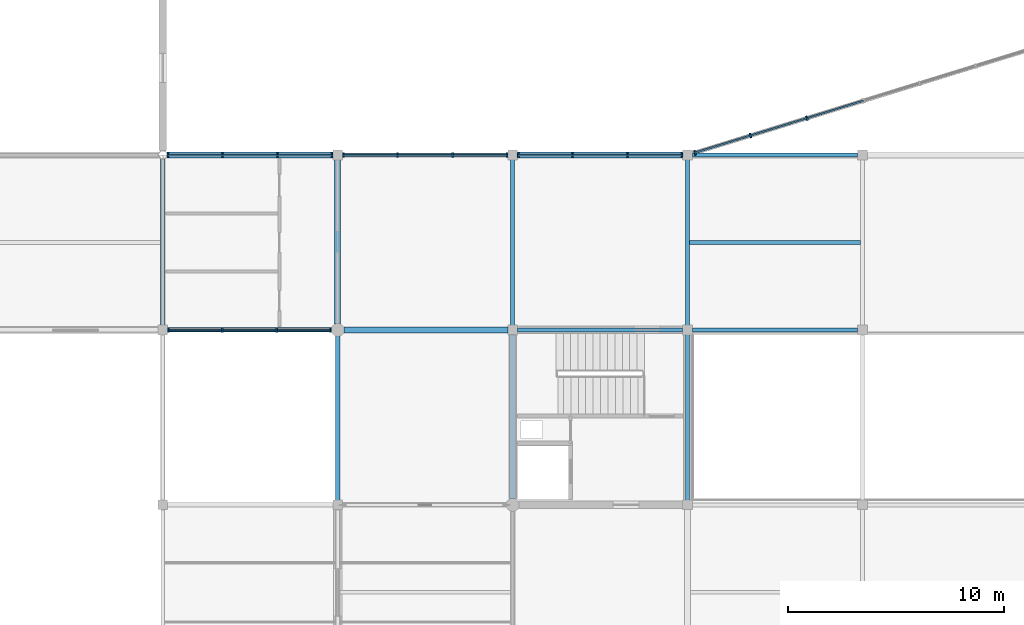
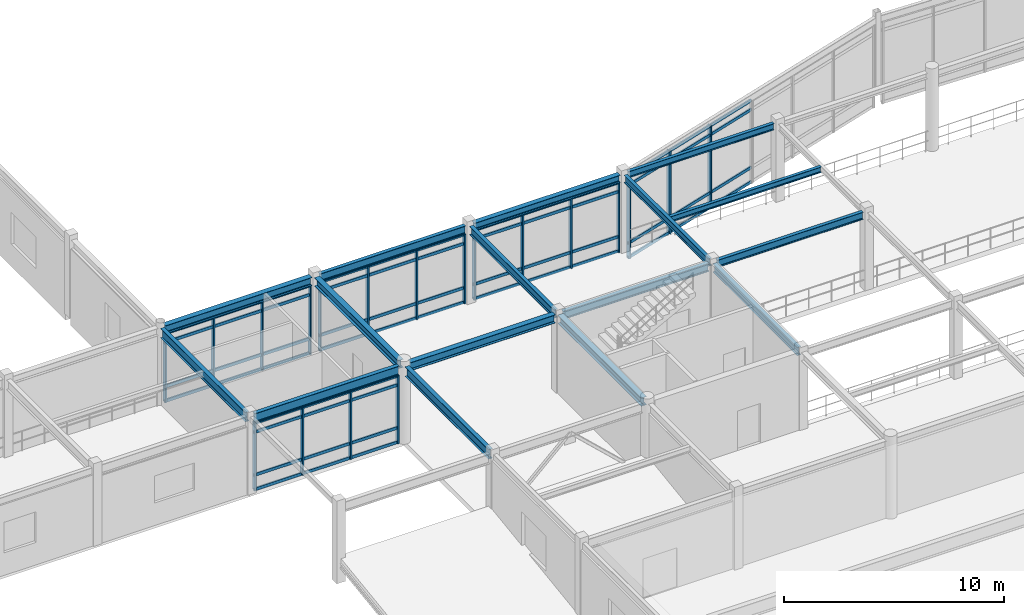
# One storey, part 20 of 93: 39 members, 16 beams, 5 elements without a shape of their own.
"""IFC4 building model written with IfcOpenShell, lengths in metres."""

from ifc_helpers import new_model, si_unit, direction, frame, origin, origin_2d, place, context, subcontext, project, spatial, rectangle, i_section, extrude, material, layer, layer_set, material_profile, profile_set, type_object, element, aggregate, save


model = new_model("IFC4")

# Units and contexts
model_context = context("Model", 3, precision=1e-05, world=origin(), true_north=direction((0.0, 1.0)))
body_context = subcontext(model_context, "Body", "Model", "MODEL_VIEW")
ifc_project = project(units=[si_unit("LENGTHUNIT", "METRE"), si_unit("AREAUNIT", "SQUARE_METRE"), si_unit("VOLUMEUNIT", "CUBIC_METRE"), si_unit("PLANEANGLEUNIT", "RADIAN"), si_unit("MASSUNIT", "GRAM", prefix="KILO")], contexts=[model_context])

# Site, building, storey
site_placement = place(None, origin())
site = spatial("IfcSite", under=ifc_project, at=site_placement, CompositionType="ELEMENT")
building_placement = place(site_placement, origin())
building = spatial("IfcBuilding", under=site, at=building_placement, Name="Vaudrelin Polytechnic", CompositionType="ELEMENT")
storey_placement = place(building_placement, frame((0.0, 0.0, 5.10009765625)))
storey = spatial("IfcBuildingStorey", under=building, at=storey_placement, Name="L01", CompositionType="ELEMENT", Elevation=5.10009765625)

# Beams
ifc_material_1 = material(Name="Steel CSA G40.21 350W", Category="steel")
ifc_material_profile_1 = material_profile(ifc_material_1, i_section(OverallWidth=0.178955078125, OverallDepth=0.409912109375, WebThickness=0.0087890625, FlangeThickness=0.014404296875, FilletRadius=0.01611328125, at=origin_2d()), Name="W410x67")
ifc_profile_set_1 = profile_set([ifc_material_profile_1], Name="Steel CSA G40.21 350W")
beam_type_1 = type_object("IfcBeamType", Name="BM-BM-W410", PredefinedType="BEAM", material=ifc_profile_set_1)
beam_1_placement = place(storey_placement, frame((56.699951171875, 40.7099609375, 4.10498046875), z_axis=(0.0, 1.0, 0.0), x_axis=(-1.0, 0.0, 0.0)))
element("IfcBeam", 1, at=beam_1_placement, inside=storey, type_object=beam_type_1, Name="L01 Y-beam 8-6", PredefinedType="BEAM", context=body_context, shape_type="SweptSolid", body=[
    extrude(i_section(OverallWidth=0.178955078125, OverallDepth=0.409912109375, WebThickness=0.0087890625, FlangeThickness=0.014404296875, FilletRadius=0.01611328125, at=origin_2d()), origin(), (0.0, 0.0, 1.0), 7.679931640625),
])
beam_2_placement = place(storey_placement, frame((56.9208984375, 40.5, 4.10498046875), z_axis=(1.0, 0.0, 0.0), x_axis=(0.0, 1.0, 0.0)))
element("IfcBeam", 2, at=beam_2_placement, inside=storey, type_object=beam_type_1, Name="L01 X-beam 8-6", PredefinedType="BEAM", context=body_context, shape_type="SweptSolid", body=[
    extrude(i_section(OverallWidth=0.178955078125, OverallDepth=0.409912109375, WebThickness=0.0087890625, FlangeThickness=0.014404296875, FilletRadius=0.01611328125, at=origin_2d()), origin(), (0.0, 0.0, 1.0), 7.658203125),
])
ifc_material_2 = material(Name="Steel CSA G40.21 350WT", Category="steel")
ifc_material_profile_2 = material_profile(ifc_material_2, i_section(OverallWidth=0.260009765625, OverallDepth=0.4150390625, WebThickness=0.010009765625, FlangeThickness=0.016845703125, FilletRadius=0.01611328125, at=origin_2d()), Name="W410x100")
ifc_profile_set_2 = profile_set([ifc_material_profile_2], Name="Steel CSA G40.21 350WT")
beam_type_2 = type_object("IfcBeamType", Name="BM-BM-W410H", PredefinedType="SPANDREL", material=ifc_profile_set_2)
beam_3_placement = place(storey_placement, frame((48.821044921875, 48.60009765625, 4.102294921875), z_axis=(1.0, 0.0, 0.0), x_axis=(0.0, 1.0, 0.0)))
element("IfcBeam", 3, at=beam_3_placement, inside=storey, type_object=beam_type_2, Name="L01 X-beam 7-7", PredefinedType="SPANDREL", context=body_context, shape_type="SweptSolid", body=[
    extrude(i_section(OverallWidth=0.260009765625, OverallDepth=0.4150390625, WebThickness=0.010009765625, FlangeThickness=0.016845703125, FilletRadius=0.01611328125, at=origin_2d()), origin(), (0.0, 0.0, 1.0), 7.657958984375),
])
ifc_material_profile_3 = material_profile(ifc_material_2, i_section(OverallWidth=0.19091796875, OverallDepth=0.4599609375, WebThickness=0.010009765625, FlangeThickness=0.01611328125, FilletRadius=0.01806640625, at=origin_2d()), Name="W460x82")
ifc_profile_set_3 = profile_set([ifc_material_profile_3], Name="Steel CSA G40.21 350WT")
beam_type_3 = type_object("IfcBeamType", Name="BM-BM-W460", PredefinedType="BEAM", material=ifc_profile_set_3)
for number, where, z_axis, x_axis, name in (
    (4, (48.60009765625, 40.7099609375, 4.079833984375), (0.0, 1.0, 0.0), (-1.0, 0.0, 0.0), "L01 Y-beam 7-6"),
    (5, (56.699951171875, 32.610107421875, 4.079833984375), (0.0, 1.0, 0.0), (-1.0, 0.0, 0.0), "L01 Y-beam 8-5"),
):
    element("IfcBeam", number, at=place(storey_placement, frame(where, z_axis=z_axis, x_axis=x_axis)), inside=storey, type_object=beam_type_3, Name=name, PredefinedType="BEAM", context=body_context, shape_type="SweptSolid", body=[
        extrude(i_section(OverallWidth=0.19091796875, OverallDepth=0.4599609375, WebThickness=0.010009765625, FlangeThickness=0.01611328125, FilletRadius=0.01806640625, at=origin_2d()), origin(), (0.0, 0.0, 1.0), 7.679931640625),
    ])
for number, where, z_axis, x_axis, name in (
    (6, (40.720947265625, 48.60009765625, 4.079833984375), (1.0, 0.0, 0.0), (0.0, 1.0, 0.0), "L01 X-beam 6-7"),
    (7, (48.821044921875, 40.5, 4.079833984375), (1.0, 0.0, 0.0), (0.0, 1.0, 0.0), "L01 X-beam 7-6"),
):
    element("IfcBeam", number, at=place(storey_placement, frame(where, z_axis=z_axis, x_axis=x_axis)), inside=storey, type_object=beam_type_3, Name=name, PredefinedType="BEAM", context=body_context, shape_type="SweptSolid", body=[
        extrude(i_section(OverallWidth=0.19091796875, OverallDepth=0.4599609375, WebThickness=0.010009765625, FlangeThickness=0.01611328125, FilletRadius=0.01806640625, at=origin_2d()), origin(), (0.0, 0.0, 1.0), 7.657958984375),
    ])
ifc_material_profile_4 = material_profile(ifc_material_1, i_section(OverallWidth=0.280029296875, OverallDepth=0.462890625, WebThickness=0.0107421875, FlangeThickness=0.017333984375, FilletRadius=0.01806640625, at=origin_2d()), Name="W460x113")
ifc_profile_set_4 = profile_set([ifc_material_profile_4], Name="Steel CSA G40.21 350W")
beam_type_4 = type_object("IfcBeamType", Name="BM-BM-W460H", PredefinedType="BEAM", material=ifc_profile_set_4)
for number, where, z_axis, x_axis, name in (
    (8, (40.5, 40.784912109375, 4.078369140625), (0.0, 1.0, 0.0), (-1.0, 0.0, 0.0), "L01 Y-beam 6-6"),
    (9, (48.60009765625, 32.68505859375, 4.078369140625), (0.0, 1.0, 0.0), (-1.0, 0.0, 0.0), "L01 Y-beam 7-5"),
):
    element("IfcBeam", number, at=place(storey_placement, frame(where, z_axis=z_axis, x_axis=x_axis)), inside=storey, type_object=beam_type_4, Name=name, PredefinedType="BEAM", context=body_context, shape_type="SweptSolid", body=[
        extrude(i_section(OverallWidth=0.280029296875, OverallDepth=0.462890625, WebThickness=0.0107421875, FlangeThickness=0.017333984375, FilletRadius=0.01806640625, at=origin_2d()), origin(), (0.0, 0.0, 1.0), 7.60498046875),
    ])
beam_4_placement = place(storey_placement, frame((32.59912109375, 48.60009765625, 4.078369140625), z_axis=(1.0, 0.0, 0.0), x_axis=(0.0, 1.0, 0.0)))
element("IfcBeam", 10, at=beam_4_placement, inside=storey, type_object=beam_type_4, Name="L01 X-beam 5-7", PredefinedType="BEAM", context=body_context, shape_type="SweptSolid", body=[
    extrude(i_section(OverallWidth=0.280029296875, OverallDepth=0.462890625, WebThickness=0.0107421875, FlangeThickness=0.017333984375, FilletRadius=0.01806640625, at=origin_2d()), origin(), (0.0, 0.0, 1.0), 7.679931640625),
])
beam_5_placement = place(storey_placement, frame((40.7958984375, 40.5, 4.078369140625), z_axis=(1.0, 0.0, 0.0), x_axis=(0.0, 1.0, 0.0)))
element("IfcBeam", 11, at=beam_5_placement, inside=storey, type_object=beam_type_4, Name="L01 X-beam 6-6", PredefinedType="BEAM", context=body_context, shape_type="SweptSolid", body=[
    extrude(i_section(OverallWidth=0.280029296875, OverallDepth=0.462890625, WebThickness=0.0107421875, FlangeThickness=0.017333984375, FilletRadius=0.01806640625, at=origin_2d()), origin(), (0.0, 0.0, 1.0), 7.5830078125),
])
ifc_material_profile_5 = material_profile(ifc_material_1, i_section(OverallWidth=0.208984375, OverallDepth=0.532958984375, WebThickness=0.01025390625, FlangeThickness=0.015625, FilletRadius=0.01904296875, at=origin_2d()), Name="W530x92")
ifc_profile_set_5 = profile_set([ifc_material_profile_5], Name="Steel CSA G40.21 350W")
beam_type_5 = type_object("IfcBeamType", Name="BM-BM-W530", PredefinedType="BEAM", material=ifc_profile_set_5)
beam_6_placement = place(storey_placement, frame((32.39990234375, 40.7099609375, 4.033447265625), z_axis=(0.0, 1.0, 0.0), x_axis=(-1.0, 0.0, 0.0)))
element("IfcBeam", 12, at=beam_6_placement, inside=storey, type_object=beam_type_5, Name="L01 Y-beam 5-6", PredefinedType="BEAM", context=body_context, shape_type="SweptSolid", body=[
    extrude(i_section(OverallWidth=0.208984375, OverallDepth=0.532958984375, WebThickness=0.01025390625, FlangeThickness=0.015625, FilletRadius=0.01904296875, at=origin_2d()), origin(), (0.0, 0.0, 1.0), 7.701904296875),
])
beam_7_placement = place(storey_placement, frame((40.5, 32.610107421875, 4.04345703125), z_axis=(0.0, 1.0, 0.0), x_axis=(-1.0, 0.0, 0.0)))
element("IfcBeam", 13, at=beam_7_placement, inside=storey, type_object=beam_type_5, Name="L01 Y-beam 6-5", PredefinedType="BEAM", context=body_context, shape_type="SweptSolid", body=[
    extrude(i_section(OverallWidth=0.208984375, OverallDepth=0.532958984375, WebThickness=0.01025390625, FlangeThickness=0.015625, FilletRadius=0.01904296875, at=origin_2d()), origin(), (0.0, 0.0, 1.0), 7.60498046875),
])
beam_8_placement = place(storey_placement, frame((32.62109375, 40.5, 4.04345703125), z_axis=(1.0, 0.0, 0.0), x_axis=(0.0, 1.0, 0.0)))
element("IfcBeam", 14, at=beam_8_placement, inside=storey, type_object=beam_type_5, Name="L01 X-beam 5-6", PredefinedType="BEAM", context=body_context, shape_type="SweptSolid", body=[
    extrude(i_section(OverallWidth=0.208984375, OverallDepth=0.532958984375, WebThickness=0.01025390625, FlangeThickness=0.015625, FilletRadius=0.01904296875, at=origin_2d()), origin(), (0.0, 0.0, 1.0), 7.5830078125),
])
ifc_material_profile_6 = material_profile(ifc_material_1, i_section(OverallWidth=0.1669921875, OverallDepth=0.31689453125, WebThickness=0.007568359375, FlangeThickness=0.01318359375, FilletRadius=0.013916015625, at=origin_2d()), Name="W310x52")
ifc_profile_set_6 = profile_set([ifc_material_profile_6], Name="Steel CSA G40.21 350W")
beam_type_6 = type_object("IfcBeamType", Name="BM-JS-W310", PredefinedType="JOIST", material=ifc_profile_set_6)
beam_9_placement = place(storey_placement, frame((56.785400390625, 44.550048828125, 4.1513671875), z_axis=(1.0, 0.0, 0.0), x_axis=(0.0, 1.0, 0.0)))
element("IfcBeam", 15, at=beam_9_placement, inside=storey, type_object=beam_type_6, Name="L01 floor joist 8-6", PredefinedType="JOIST", context=body_context, shape_type="SweptSolid", body=[
    extrude(i_section(OverallWidth=0.1669921875, OverallDepth=0.31689453125, WebThickness=0.007568359375, FlangeThickness=0.01318359375, FilletRadius=0.013916015625, at=origin_2d()), origin(), (0.0, 0.0, 1.0), 7.9326171875),
])
ifc_material_profile_7 = material_profile(ifc_material_1, i_section(OverallWidth=0.172119140625, OverallDepth=0.35791015625, WebThickness=0.0078125, FlangeThickness=0.01318359375, FilletRadius=0.014892578125, at=origin_2d()), Name="W360x57")
ifc_profile_set_7 = profile_set([ifc_material_profile_7], Name="Steel CSA G40.21 350W")
beam_type_7 = type_object("IfcBeamType", Name="BM-JS-W360", PredefinedType="JOIST", material=ifc_profile_set_7)
beam_10_placement = place(storey_placement, frame((56.9208984375, 48.60009765625, 4.130859375), z_axis=(1.0, 0.0, 0.0), x_axis=(0.0, 1.0, 0.0)))
element("IfcBeam", 16, at=beam_10_placement, inside=storey, type_object=beam_type_7, Name="L01 X-beam 8-7", PredefinedType="JOIST", context=body_context, shape_type="SweptSolid", body=[
    extrude(i_section(OverallWidth=0.172119140625, OverallDepth=0.35791015625, WebThickness=0.0078125, FlangeThickness=0.01318359375, FilletRadius=0.014892578125, at=origin_2d()), origin(), (0.0, 0.0, 1.0), 7.658203125),
])

# Curtain wall, members
ifc_material_3 = material(Name="Thermally broken anodised aluminium AA 6063-T6 and low-e triple glazing", Category="aluminium")
ifc_layer = layer(ifc_material_3, 0.199951171875)
ifc_layer_set = layer_set([ifc_layer], Name="Thermally broken anodised aluminium AA 6063-T6 and low-e triple glazing")
curtain_wall_type = type_object("IfcCurtainWallType", Name="CW-CW-WG", PredefinedType="USERDEFINED", material=ifc_layer_set)
curtain_wall_1_placement = place(storey_placement, origin())
curtain_wall_1 = element("IfcCurtainWall", 17, at=curtain_wall_1_placement, inside=storey, type_object=curtain_wall_type, Name="Curtain wall L01 S_V6W_00", ObjectType="CURTAIN WALL", PredefinedType="USERDEFINED")
ifc_material_4 = material(Name="Anodised aluminium AA 6063-T6", Category="aluminium")
ifc_material_profile_8 = material_profile(ifc_material_4, rectangle(XDim=0.074951171875, YDim=0.219970703125, at=origin_2d()), Name="CWM-75x220")
ifc_profile_set_8 = profile_set([ifc_material_profile_8], Name="Anodised aluminium AA 6063-T6")
member_type_1 = type_object("IfcMemberType", Name="MEM-CWM-220", PredefinedType="MULLION", material=ifc_profile_set_8)
member_1_placement = place(storey_placement, frame((32.6630859375, 40.5, 0.0), z_axis=(0.0, 0.0, 1.0), x_axis=(1.0, 0.0, 0.0)))
member_1 = element("IfcMember", 18, at=member_1_placement, type_object=member_type_1, Name="S_V6W_00 mullion 1", PredefinedType="MULLION", context=body_context, shape_type="SweptSolid", body=[
    extrude(rectangle(XDim=0.074951171875, YDim=0.219970703125, at=origin_2d()), origin(), (0.0, 0.0, 1.0), 3.77880859375),
])
member_2_placement = place(storey_placement, frame((35.1494140625, 40.5, 0.0), z_axis=(0.0, 0.0, 1.0), x_axis=(1.0, 0.0, 0.0)))
member_2 = element("IfcMember", 19, at=member_2_placement, type_object=member_type_1, Name="S_V6W_00 mullion 2", PredefinedType="MULLION", context=body_context, shape_type="SweptSolid", body=[
    extrude(rectangle(XDim=0.074951171875, YDim=0.219970703125, at=origin_2d()), origin(), (0.0, 0.0, 1.0), 3.77880859375),
])
member_3_placement = place(storey_placement, frame((37.67578125, 40.5, 0.0), z_axis=(0.0, 0.0, 1.0), x_axis=(1.0, 0.0, 0.0)))
member_3 = element("IfcMember", 20, at=member_3_placement, type_object=member_type_1, Name="S_V6W_00 mullion 3", PredefinedType="MULLION", context=body_context, shape_type="SweptSolid", body=[
    extrude(rectangle(XDim=0.074951171875, YDim=0.219970703125, at=origin_2d()), origin(), (0.0, 0.0, 1.0), 3.77880859375),
])
member_4_placement = place(storey_placement, frame((40.162109375, 40.5, 0.0), z_axis=(0.0, 0.0, 1.0), x_axis=(1.0, 0.0, 0.0)))
member_4 = element("IfcMember", 21, at=member_4_placement, type_object=member_type_1, Name="S_V6W_00 mullion 4", PredefinedType="MULLION", context=body_context, shape_type="SweptSolid", body=[
    extrude(rectangle(XDim=0.074951171875, YDim=0.219970703125, at=origin_2d()), origin(), (0.0, 0.0, 1.0), 3.77880859375),
])

curtain_wall_2_placement = place(storey_placement, origin())
curtain_wall_2 = element("IfcCurtainWall", 22, at=curtain_wall_2_placement, inside=storey, type_object=curtain_wall_type, Name="Curtain wall L01 CT_S_00", ObjectType="CURTAIN WALL", PredefinedType="USERDEFINED")
member_5_placement = place(storey_placement, frame((32.64111328125, 48.60009765625, 0.0), z_axis=(0.0, 0.0, 1.0), x_axis=(1.0, 0.0, 0.0)))
member_5 = element("IfcMember", 23, at=member_5_placement, type_object=member_type_1, Name="CT_S_00 mullion 1", PredefinedType="MULLION", context=body_context, shape_type="SweptSolid", body=[
    extrude(rectangle(XDim=0.074951171875, YDim=0.219970703125, at=origin_2d()), origin(), (0.0, 0.0, 1.0), 3.848876953125),
])
member_6_placement = place(storey_placement, frame((35.159912109375, 48.60009765625, 0.0), z_axis=(0.0, 0.0, 1.0), x_axis=(1.0, 0.0, 0.0)))
member_6 = element("IfcMember", 24, at=member_6_placement, type_object=member_type_1, Name="CT_S_00 mullion 2", PredefinedType="MULLION", context=body_context, shape_type="SweptSolid", body=[
    extrude(rectangle(XDim=0.074951171875, YDim=0.219970703125, at=origin_2d()), origin(), (0.0, 0.0, 1.0), 3.848876953125),
])
member_7_placement = place(storey_placement, frame((37.718505859375, 48.60009765625, 0.0), z_axis=(0.0, 0.0, 1.0), x_axis=(1.0, 0.0, 0.0)))
member_7 = element("IfcMember", 25, at=member_7_placement, type_object=member_type_1, Name="CT_S_00 mullion 3", PredefinedType="MULLION", context=body_context, shape_type="SweptSolid", body=[
    extrude(rectangle(XDim=0.074951171875, YDim=0.219970703125, at=origin_2d()), origin(), (0.0, 0.0, 1.0), 3.848876953125),
])
member_8_placement = place(storey_placement, frame((40.237060546875, 48.60009765625, 0.0), z_axis=(0.0, 0.0, 1.0), x_axis=(1.0, 0.0, 0.0)))
member_8 = element("IfcMember", 26, at=member_8_placement, type_object=member_type_1, Name="CT_S_00 mullion 4", PredefinedType="MULLION", context=body_context, shape_type="SweptSolid", body=[
    extrude(rectangle(XDim=0.074951171875, YDim=0.219970703125, at=origin_2d()), origin(), (0.0, 0.0, 1.0), 3.848876953125),
])

curtain_wall_3_placement = place(storey_placement, origin())
curtain_wall_3 = element("IfcCurtainWall", 27, at=curtain_wall_3_placement, inside=storey, type_object=curtain_wall_type, Name="Curtain wall L01 CT_S_01", ObjectType="CURTAIN WALL", PredefinedType="USERDEFINED")
member_9_placement = place(storey_placement, frame((40.762939453125, 48.60009765625, 0.0), z_axis=(0.0, 0.0, 1.0), x_axis=(1.0, 0.0, 0.0)))
member_9 = element("IfcMember", 28, at=member_9_placement, type_object=member_type_1, Name="CT_S_01 mullion 1", PredefinedType="MULLION", context=body_context, shape_type="SweptSolid", body=[
    extrude(rectangle(XDim=0.074951171875, YDim=0.219970703125, at=origin_2d()), origin(), (0.0, 0.0, 1.0), 3.851806640625),
])
member_10_placement = place(storey_placement, frame((43.2744140625, 48.60009765625, 0.0), z_axis=(0.0, 0.0, 1.0), x_axis=(1.0, 0.0, 0.0)))
member_10 = element("IfcMember", 29, at=member_10_placement, type_object=member_type_1, Name="CT_S_01 mullion 2", PredefinedType="MULLION", context=body_context, shape_type="SweptSolid", body=[
    extrude(rectangle(XDim=0.074951171875, YDim=0.219970703125, at=origin_2d()), origin(), (0.0, 0.0, 1.0), 3.851806640625),
])
member_11_placement = place(storey_placement, frame((45.82568359375, 48.60009765625, 0.0), z_axis=(0.0, 0.0, 1.0), x_axis=(1.0, 0.0, 0.0)))
member_11 = element("IfcMember", 30, at=member_11_placement, type_object=member_type_1, Name="CT_S_01 mullion 3", PredefinedType="MULLION", context=body_context, shape_type="SweptSolid", body=[
    extrude(rectangle(XDim=0.074951171875, YDim=0.219970703125, at=origin_2d()), origin(), (0.0, 0.0, 1.0), 3.851806640625),
])
member_12_placement = place(storey_placement, frame((48.3369140625, 48.60009765625, 0.0), z_axis=(0.0, 0.0, 1.0), x_axis=(1.0, 0.0, 0.0)))
member_12 = element("IfcMember", 31, at=member_12_placement, type_object=member_type_1, Name="CT_S_01 mullion 4", PredefinedType="MULLION", context=body_context, shape_type="SweptSolid", body=[
    extrude(rectangle(XDim=0.074951171875, YDim=0.219970703125, at=origin_2d()), origin(), (0.0, 0.0, 1.0), 3.851806640625),
])

curtain_wall_4_placement = place(storey_placement, origin())
curtain_wall_4 = element("IfcCurtainWall", 32, at=curtain_wall_4_placement, inside=storey, type_object=curtain_wall_type, Name="Curtain wall L01 CT_S_02", ObjectType="CURTAIN WALL", PredefinedType="USERDEFINED")
member_13_placement = place(storey_placement, frame((48.863037109375, 48.60009765625, 0.0), z_axis=(0.0, 0.0, 1.0), x_axis=(1.0, 0.0, 0.0)))
member_13 = element("IfcMember", 33, at=member_13_placement, type_object=member_type_1, Name="CT_S_02 mullion 1", PredefinedType="MULLION", context=body_context, shape_type="SweptSolid", body=[
    extrude(rectangle(XDim=0.074951171875, YDim=0.219970703125, at=origin_2d()), origin(), (0.0, 0.0, 1.0), 3.89697265625),
])
member_14_placement = place(storey_placement, frame((51.374267578125, 48.60009765625, 0.0), z_axis=(0.0, 0.0, 1.0), x_axis=(1.0, 0.0, 0.0)))
member_14 = element("IfcMember", 34, at=member_14_placement, type_object=member_type_1, Name="CT_S_02 mullion 2", PredefinedType="MULLION", context=body_context, shape_type="SweptSolid", body=[
    extrude(rectangle(XDim=0.074951171875, YDim=0.219970703125, at=origin_2d()), origin(), (0.0, 0.0, 1.0), 3.89697265625),
])
member_15_placement = place(storey_placement, frame((53.92578125, 48.60009765625, 0.0), z_axis=(0.0, 0.0, 1.0), x_axis=(1.0, 0.0, 0.0)))
member_15 = element("IfcMember", 35, at=member_15_placement, type_object=member_type_1, Name="CT_S_02 mullion 3", PredefinedType="MULLION", context=body_context, shape_type="SweptSolid", body=[
    extrude(rectangle(XDim=0.074951171875, YDim=0.219970703125, at=origin_2d()), origin(), (0.0, 0.0, 1.0), 3.89697265625),
])
member_16_placement = place(storey_placement, frame((56.43701171875, 48.60009765625, 0.0), z_axis=(0.0, 0.0, 1.0), x_axis=(1.0, 0.0, 0.0)))
member_16 = element("IfcMember", 36, at=member_16_placement, type_object=member_type_1, Name="CT_S_02 mullion 4", PredefinedType="MULLION", context=body_context, shape_type="SweptSolid", body=[
    extrude(rectangle(XDim=0.074951171875, YDim=0.219970703125, at=origin_2d()), origin(), (0.0, 0.0, 1.0), 3.89697265625),
])

curtain_wall_5_placement = place(storey_placement, origin())
curtain_wall_5 = element("IfcCurtainWall", 37, at=curtain_wall_5_placement, inside=storey, type_object=curtain_wall_type, Name="Curtain wall L01 CT_OR1_1_0", ObjectType="CURTAIN WALL", PredefinedType="USERDEFINED")
member_17_placement = place(storey_placement, frame((57.04443359375, 48.706298828125, -0.630126953125), z_axis=(0.0, 0.0, 1.0), x_axis=(0.955523502988, 0.294914962723, 0.0)))
member_17 = element("IfcMember", 38, at=member_17_placement, type_object=member_type_1, Name="CT_OR1_1_0 mullion 1", PredefinedType="MULLION", context=body_context, shape_type="SweptSolid", body=[
    extrude(rectangle(XDim=0.074951171875, YDim=0.219970703125, at=origin_2d()), origin(), (0.0, 0.0, 1.0), 4.610107421875),
])
member_18_placement = place(storey_placement, frame((59.6162109375, 49.5, -0.630126953125), z_axis=(0.0, 0.0, 1.0), x_axis=(0.955523502988, 0.294914962723, 0.0)))
member_18 = element("IfcMember", 39, at=member_18_placement, type_object=member_type_1, Name="CT_OR1_1_0 mullion 2", PredefinedType="MULLION", context=body_context, shape_type="SweptSolid", body=[
    extrude(rectangle(XDim=0.074951171875, YDim=0.219970703125, at=origin_2d()), origin(), (0.0, 0.0, 1.0), 4.610107421875),
])
member_19_placement = place(storey_placement, frame((62.226318359375, 50.3056640625, -0.630126953125), z_axis=(0.0, 0.0, 1.0), x_axis=(0.955523502988, 0.294914962723, 0.0)))
member_19 = element("IfcMember", 40, at=member_19_placement, type_object=member_type_1, Name="CT_OR1_1_0 mullion 3", PredefinedType="MULLION", context=body_context, shape_type="SweptSolid", body=[
    extrude(rectangle(XDim=0.074951171875, YDim=0.219970703125, at=origin_2d()), origin(), (0.0, 0.0, 1.0), 4.610107421875),
])

# Member
ifc_material_profile_9 = material_profile(ifc_material_4, rectangle(XDim=0.074951171875, YDim=0.1650390625, at=origin_2d()), Name="CWT-75x165")
ifc_profile_set_9 = profile_set([ifc_material_profile_9], Name="Anodised aluminium AA 6063-T6")
member_type_2 = type_object("IfcMemberType", Name="MEM-CWT-165", PredefinedType="USERDEFINED", material=ifc_profile_set_9)
member_20_placement = place(storey_placement, frame((32.623046875, 40.5, 0.0498046875), z_axis=(1.0, 0.0, 0.0), x_axis=(0.0, 1.0, 0.0)))
member_20 = element("IfcMember", 41, at=member_20_placement, type_object=member_type_2, Name="S_V6W_00 transom 1", ObjectType="TRANSOM", PredefinedType="USERDEFINED", context=body_context, shape_type="SweptSolid", body=[
    extrude(rectangle(XDim=0.074951171875, YDim=0.1650390625, at=origin_2d()), origin(), (0.0, 0.0, 1.0), 7.578857421875),
])

member_21_placement = place(storey_placement, frame((32.623046875, 40.5, 0.849853515625), z_axis=(1.0, 0.0, 0.0), x_axis=(0.0, 1.0, 0.0)))
member_21 = element("IfcMember", 42, at=member_21_placement, type_object=member_type_2, Name="S_V6W_00 transom 2", ObjectType="TRANSOM", PredefinedType="USERDEFINED", context=body_context, shape_type="SweptSolid", body=[
    extrude(rectangle(XDim=0.074951171875, YDim=0.1650390625, at=origin_2d()), origin(), (0.0, 0.0, 1.0), 7.578857421875),
])

member_22_placement = place(storey_placement, frame((32.623046875, 40.5, 3.22900390625), z_axis=(1.0, 0.0, 0.0), x_axis=(0.0, 1.0, 0.0)))
member_22 = element("IfcMember", 43, at=member_22_placement, type_object=member_type_2, Name="S_V6W_00 transom 3", ObjectType="TRANSOM", PredefinedType="USERDEFINED", context=body_context, shape_type="SweptSolid", body=[
    extrude(rectangle(XDim=0.074951171875, YDim=0.1650390625, at=origin_2d()), origin(), (0.0, 0.0, 1.0), 7.578857421875),
])

member_23_placement = place(storey_placement, frame((32.623046875, 40.5, 3.72900390625), z_axis=(1.0, 0.0, 0.0), x_axis=(0.0, 1.0, 0.0)))
member_23 = element("IfcMember", 44, at=member_23_placement, type_object=member_type_2, Name="S_V6W_00 transom 4", ObjectType="TRANSOM", PredefinedType="USERDEFINED", context=body_context, shape_type="SweptSolid", body=[
    extrude(rectangle(XDim=0.074951171875, YDim=0.1650390625, at=origin_2d()), origin(), (0.0, 0.0, 1.0), 7.578857421875),
])

aggregate(curtain_wall_1, [member_1, member_2, member_3, member_4, member_20, member_21, member_22, member_23])

member_24_placement = place(storey_placement, frame((32.601318359375, 48.60009765625, 0.0498046875), z_axis=(1.0, 0.0, 0.0), x_axis=(0.0, 1.0, 0.0)))
member_24 = element("IfcMember", 45, at=member_24_placement, type_object=member_type_2, Name="CT_S_00 transom 1", ObjectType="TRANSOM", PredefinedType="USERDEFINED", context=body_context, shape_type="SweptSolid", body=[
    extrude(rectangle(XDim=0.074951171875, YDim=0.1650390625, at=origin_2d()), origin(), (0.0, 0.0, 1.0), 7.67578125),
])

member_25_placement = place(storey_placement, frame((32.601318359375, 48.60009765625, 0.849853515625), z_axis=(1.0, 0.0, 0.0), x_axis=(0.0, 1.0, 0.0)))
member_25 = element("IfcMember", 46, at=member_25_placement, type_object=member_type_2, Name="CT_S_00 transom 2", ObjectType="TRANSOM", PredefinedType="USERDEFINED", context=body_context, shape_type="SweptSolid", body=[
    extrude(rectangle(XDim=0.074951171875, YDim=0.1650390625, at=origin_2d()), origin(), (0.0, 0.0, 1.0), 7.67578125),
])

member_26_placement = place(storey_placement, frame((32.601318359375, 48.60009765625, 3.298828125), z_axis=(1.0, 0.0, 0.0), x_axis=(0.0, 1.0, 0.0)))
member_26 = element("IfcMember", 47, at=member_26_placement, type_object=member_type_2, Name="CT_S_00 transom 3", ObjectType="TRANSOM", PredefinedType="USERDEFINED", context=body_context, shape_type="SweptSolid", body=[
    extrude(rectangle(XDim=0.074951171875, YDim=0.1650390625, at=origin_2d()), origin(), (0.0, 0.0, 1.0), 7.67578125),
])

member_27_placement = place(storey_placement, frame((32.601318359375, 48.60009765625, 3.798828125), z_axis=(1.0, 0.0, 0.0), x_axis=(0.0, 1.0, 0.0)))
member_27 = element("IfcMember", 48, at=member_27_placement, type_object=member_type_2, Name="CT_S_00 transom 4", ObjectType="TRANSOM", PredefinedType="USERDEFINED", context=body_context, shape_type="SweptSolid", body=[
    extrude(rectangle(XDim=0.074951171875, YDim=0.1650390625, at=origin_2d()), origin(), (0.0, 0.0, 1.0), 7.67578125),
])

aggregate(curtain_wall_2, [member_5, member_6, member_7, member_8, member_24, member_25, member_26, member_27])

member_28_placement = place(storey_placement, frame((40.722900390625, 48.60009765625, 0.0498046875), z_axis=(1.0, 0.0, 0.0), x_axis=(0.0, 1.0, 0.0)))
member_28 = element("IfcMember", 49, at=member_28_placement, type_object=member_type_2, Name="CT_S_01 transom 1", ObjectType="TRANSOM", PredefinedType="USERDEFINED", context=body_context, shape_type="SweptSolid", body=[
    extrude(rectangle(XDim=0.074951171875, YDim=0.1650390625, at=origin_2d()), origin(), (0.0, 0.0, 1.0), 7.654052734375),
])

member_29_placement = place(storey_placement, frame((40.722900390625, 48.60009765625, 0.849853515625), z_axis=(1.0, 0.0, 0.0), x_axis=(0.0, 1.0, 0.0)))
member_29 = element("IfcMember", 50, at=member_29_placement, type_object=member_type_2, Name="CT_S_01 transom 2", ObjectType="TRANSOM", PredefinedType="USERDEFINED", context=body_context, shape_type="SweptSolid", body=[
    extrude(rectangle(XDim=0.074951171875, YDim=0.1650390625, at=origin_2d()), origin(), (0.0, 0.0, 1.0), 7.654052734375),
])

member_30_placement = place(storey_placement, frame((40.722900390625, 48.60009765625, 3.302001953125), z_axis=(1.0, 0.0, 0.0), x_axis=(0.0, 1.0, 0.0)))
member_30 = element("IfcMember", 51, at=member_30_placement, type_object=member_type_2, Name="CT_S_01 transom 3", ObjectType="TRANSOM", PredefinedType="USERDEFINED", context=body_context, shape_type="SweptSolid", body=[
    extrude(rectangle(XDim=0.074951171875, YDim=0.1650390625, at=origin_2d()), origin(), (0.0, 0.0, 1.0), 7.654052734375),
])

member_31_placement = place(storey_placement, frame((40.722900390625, 48.60009765625, 3.802001953125), z_axis=(1.0, 0.0, 0.0), x_axis=(0.0, 1.0, 0.0)))
member_31 = element("IfcMember", 52, at=member_31_placement, type_object=member_type_2, Name="CT_S_01 transom 4", ObjectType="TRANSOM", PredefinedType="USERDEFINED", context=body_context, shape_type="SweptSolid", body=[
    extrude(rectangle(XDim=0.074951171875, YDim=0.1650390625, at=origin_2d()), origin(), (0.0, 0.0, 1.0), 7.654052734375),
])

aggregate(curtain_wall_3, [member_9, member_10, member_11, member_12, member_28, member_29, member_30, member_31])

member_32_placement = place(storey_placement, frame((48.822998046875, 48.60009765625, 0.0498046875), z_axis=(1.0, 0.0, 0.0), x_axis=(0.0, 1.0, 0.0)))
member_32 = element("IfcMember", 53, at=member_32_placement, type_object=member_type_2, Name="CT_S_02 transom 1", ObjectType="TRANSOM", PredefinedType="USERDEFINED", context=body_context, shape_type="SweptSolid", body=[
    extrude(rectangle(XDim=0.074951171875, YDim=0.1650390625, at=origin_2d()), origin(), (0.0, 0.0, 1.0), 7.654052734375),
])

member_33_placement = place(storey_placement, frame((48.822998046875, 48.60009765625, 0.849853515625), z_axis=(1.0, 0.0, 0.0), x_axis=(0.0, 1.0, 0.0)))
member_33 = element("IfcMember", 54, at=member_33_placement, type_object=member_type_2, Name="CT_S_02 transom 2", ObjectType="TRANSOM", PredefinedType="USERDEFINED", context=body_context, shape_type="SweptSolid", body=[
    extrude(rectangle(XDim=0.074951171875, YDim=0.1650390625, at=origin_2d()), origin(), (0.0, 0.0, 1.0), 7.654052734375),
])

member_34_placement = place(storey_placement, frame((48.822998046875, 48.60009765625, 3.346923828125), z_axis=(1.0, 0.0, 0.0), x_axis=(0.0, 1.0, 0.0)))
member_34 = element("IfcMember", 55, at=member_34_placement, type_object=member_type_2, Name="CT_S_02 transom 3", ObjectType="TRANSOM", PredefinedType="USERDEFINED", context=body_context, shape_type="SweptSolid", body=[
    extrude(rectangle(XDim=0.074951171875, YDim=0.1650390625, at=origin_2d()), origin(), (0.0, 0.0, 1.0), 7.654052734375),
])

member_35_placement = place(storey_placement, frame((48.822998046875, 48.60009765625, 3.846923828125), z_axis=(1.0, 0.0, 0.0), x_axis=(0.0, 1.0, 0.0)))
member_35 = element("IfcMember", 56, at=member_35_placement, type_object=member_type_2, Name="CT_S_02 transom 4", ObjectType="TRANSOM", PredefinedType="USERDEFINED", context=body_context, shape_type="SweptSolid", body=[
    extrude(rectangle(XDim=0.074951171875, YDim=0.1650390625, at=origin_2d()), origin(), (0.0, 0.0, 1.0), 7.654052734375),
])

aggregate(curtain_wall_4, [member_13, member_14, member_15, member_16, member_32, member_33, member_34, member_35])

member_36_placement = place(storey_placement, frame((57.006103515625, 48.694580078125, -0.580078125), z_axis=(0.955530013995, 0.294893866255, 0.0), x_axis=(-0.294893866255, 0.955530013995, 0.0)))
member_36 = element("IfcMember", 57, at=member_36_placement, type_object=member_type_2, Name="CT_OR1_1_0 transom 1", ObjectType="TRANSOM", PredefinedType="USERDEFINED", context=body_context, shape_type="SweptSolid", body=[
    extrude(rectangle(XDim=0.074951171875, YDim=0.1650390625, at=origin_2d()), origin(), (0.0, 0.0, 1.0), 8.194580078125),
])

member_37_placement = place(storey_placement, frame((57.006103515625, 48.694580078125, 0.219970703125), z_axis=(0.955530013995, 0.294893866255, 0.0), x_axis=(-0.294893866255, 0.955530013995, 0.0)))
member_37 = element("IfcMember", 58, at=member_37_placement, type_object=member_type_2, Name="CT_OR1_1_0 transom 2", ObjectType="TRANSOM", PredefinedType="USERDEFINED", context=body_context, shape_type="SweptSolid", body=[
    extrude(rectangle(XDim=0.074951171875, YDim=0.1650390625, at=origin_2d()), origin(), (0.0, 0.0, 1.0), 8.194580078125),
])

member_38_placement = place(storey_placement, frame((57.006103515625, 48.694580078125, 3.429931640625), z_axis=(0.955530013995, 0.294893866255, 0.0), x_axis=(-0.294893866255, 0.955530013995, 0.0)))
member_38 = element("IfcMember", 59, at=member_38_placement, type_object=member_type_2, Name="CT_OR1_1_0 transom 3", ObjectType="TRANSOM", PredefinedType="USERDEFINED", context=body_context, shape_type="SweptSolid", body=[
    extrude(rectangle(XDim=0.074951171875, YDim=0.1650390625, at=origin_2d()), origin(), (0.0, 0.0, 1.0), 8.194580078125),
])

member_39_placement = place(storey_placement, frame((57.006103515625, 48.694580078125, 3.929931640625), z_axis=(0.955530013995, 0.294893866255, 0.0), x_axis=(-0.294893866255, 0.955530013995, 0.0)))
member_39 = element("IfcMember", 60, at=member_39_placement, type_object=member_type_2, Name="CT_OR1_1_0 transom 4", ObjectType="TRANSOM", PredefinedType="USERDEFINED", context=body_context, shape_type="SweptSolid", body=[
    extrude(rectangle(XDim=0.074951171875, YDim=0.1650390625, at=origin_2d()), origin(), (0.0, 0.0, 1.0), 8.194580078125),
])

aggregate(curtain_wall_5, [member_17, member_18, member_19, member_36, member_37, member_38, member_39])

save(model, "model.ifc")
